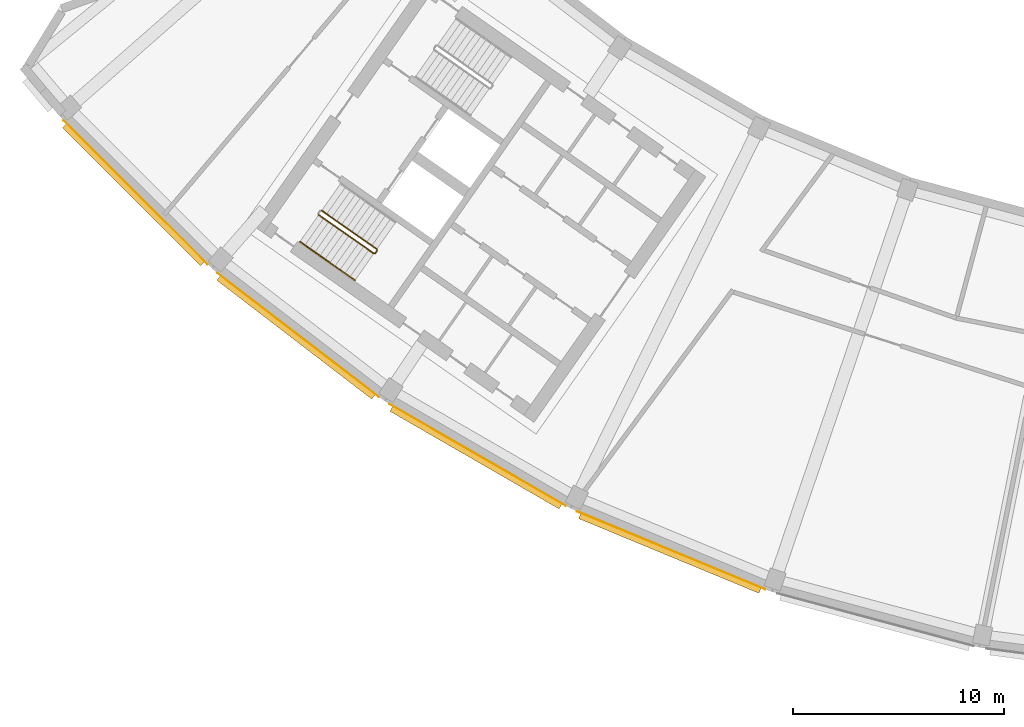
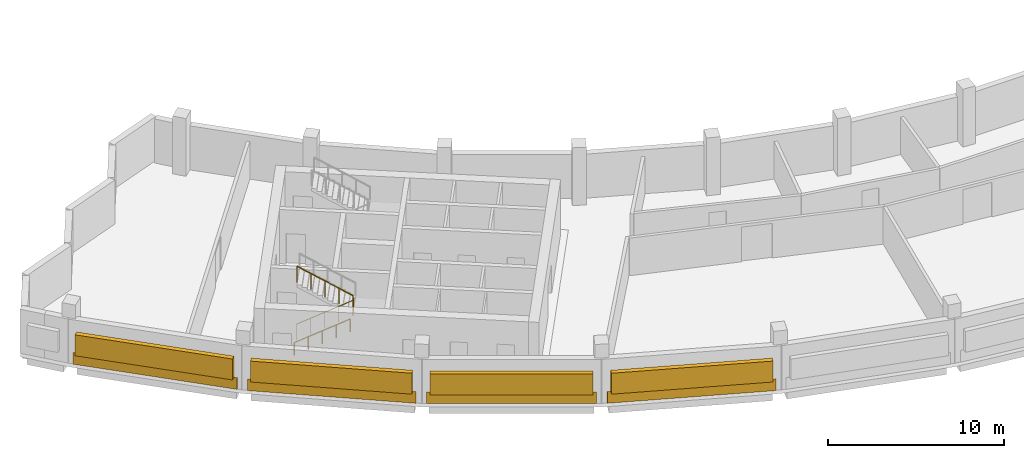
# One storey, part 8 of 11: 4 coverings, 4 shading devices, 3 railings.
"""IFC4 building model written with IfcOpenShell, lengths in metres."""

from ifc_helpers import new_model, si_unit, direction, frame, origin, origin_2d, place, context, subcontext, project, spatial, rectangle, circle, extrude, material, layer, layer_set, type_object, element, save


model = new_model("IFC4")

# Units and contexts
model_context = context("Model", 3, precision=1e-05, world=origin(), true_north=direction((0.0, 1.0)))
body_context = subcontext(model_context, "Body", "Model", "MODEL_VIEW")
ifc_project = project(units=[si_unit("LENGTHUNIT", "METRE"), si_unit("AREAUNIT", "SQUARE_METRE"), si_unit("VOLUMEUNIT", "CUBIC_METRE"), si_unit("PLANEANGLEUNIT", "RADIAN"), si_unit("MASSUNIT", "GRAM", prefix="KILO")], contexts=[model_context])

# Site, building, storey
site_placement = place(None, origin())
site = spatial("IfcSite", under=ifc_project, at=site_placement, CompositionType="ELEMENT")
building_placement = place(site_placement, origin())
building = spatial("IfcBuilding", under=site, at=building_placement, Name="Qamariyya Broadcast Tower", CompositionType="ELEMENT")
storey_placement = place(building_placement, frame((0.0, 0.0, 298.699951171875)))
storey = spatial("IfcBuildingStorey", under=building, at=storey_placement, Name="L72", CompositionType="ELEMENT", Elevation=298.699951171875)

# Railings
ifc_material_1 = material(Name="Painted steel", Category="steel")
railing_type_1 = type_object("IfcRailingType", Name="Stair guard", PredefinedType="GUARDRAIL", material=ifc_material_1)
railing_1_placement = place(storey_placement, frame((-46.624267578125, -56.34765625, 0.166748046875)))
element("IfcRailing", 1, at=railing_1_placement, inside=storey, type_object=railing_type_1, Name="L72 ST-W1 stair guard 1", PredefinedType="GUARDRAIL", context=body_context, shape_type="SweptSolid", body=[
    extrude(circle(Radius=0.02392578125, at=origin_2d()), frame((0.0, 0.0, 1.076171875), z_axis=(0.710204256923, -0.497335411159, 0.498264389913), x_axis=(0.573611290809, 0.819127637829, 0.0)), (0.0, 0.0, 1.0), 3.67919921875),
    extrude(circle(Radius=0.02392578125, at=origin_2d()), frame((2.613037109375, -1.829833984375, 2.9091796875), z_axis=(0.984957024646, 0.172799478008, 0.0), x_axis=(-0.172799478008, 0.984957024646, 0.0)), (0.0, 0.0, 1.0), 0.070556640625),
    extrude(circle(Radius=0.02392578125, at=origin_2d()), frame((2.6826171875, -1.817626953125, 2.9091796875), z_axis=(0.57368046593, 0.819079192149, 0.0), x_axis=(-0.819079192149, 0.57368046593, 0.0)), (0.0, 0.0, 1.0), 0.150146484375),
    extrude(circle(Radius=0.02099609375, at=origin_2d()), origin(), (0.0, 0.0, 1.0), 1.052001953125),
    extrude(circle(Radius=0.02099609375, at=origin_2d()), frame((0.6533203125, -0.45751953125, 0.458251953125)), (0.0, 0.0, 1.0), 1.052001953125),
    extrude(circle(Radius=0.02099609375, at=origin_2d()), frame((1.306640625, -0.9150390625, 0.91650390625)), (0.0, 0.0, 1.0), 1.052001953125),
    extrude(circle(Radius=0.02099609375, at=origin_2d()), frame((1.959716796875, -1.372314453125, 1.375)), (0.0, 0.0, 1.0), 1.052001953125),
    extrude(circle(Radius=0.02099609375, at=origin_2d()), frame((2.613037109375, -1.829833984375, 1.833251953125)), (0.0, 0.0, 1.0), 1.052001953125),
    extrude(circle(Radius=0.02099609375, at=origin_2d()), frame((2.6826171875, -1.817626953125, 1.833251953125)), (0.0, 0.0, 1.0), 1.052001953125),
    extrude(circle(Radius=0.02099609375, at=origin_2d()), frame((2.768798828125, -1.694580078125, 1.833251953125)), (0.0, 0.0, 1.0), 1.052001953125),
])
railing_2_placement = place(storey_placement, frame((-43.867919921875, -57.97265625, 2.166748046875)))
element("IfcRailing", 2, at=railing_2_placement, inside=storey, type_object=railing_type_1, Name="L72 ST-W1 stair guard 2", PredefinedType="GUARDRAIL", context=body_context, shape_type="SweptSolid", body=[
    extrude(circle(Radius=0.02392578125, at=origin_2d()), frame((0.0, 0.0, 1.076171875), z_axis=(-0.710227693972, 0.497285465629, 0.498280832854), x_axis=(-0.573559936391, -0.819163597438, 0.0)), (0.0, 0.0, 1.0), 3.67919921875),
    extrude(circle(Radius=0.02099609375, at=origin_2d()), origin(), (0.0, 0.0, 1.0), 1.052001953125),
    extrude(circle(Radius=0.02099609375, at=origin_2d()), frame((-0.6533203125, 0.45751953125, 0.458251953125)), (0.0, 0.0, 1.0), 1.052001953125),
    extrude(circle(Radius=0.02099609375, at=origin_2d()), frame((-1.306640625, 0.914794921875, 0.91650390625)), (0.0, 0.0, 1.0), 1.052001953125),
    extrude(circle(Radius=0.02099609375, at=origin_2d()), frame((-1.959716796875, 1.3720703125, 1.375)), (0.0, 0.0, 1.0), 1.052001953125),
    extrude(circle(Radius=0.02099609375, at=origin_2d()), frame((-2.613037109375, 1.82958984375, 1.833251953125)), (0.0, 0.0, 1.0), 1.052001953125),
])
ifc_material_2 = material(Name="Stainless steel", Category="steel")
railing_type_2 = type_object("IfcRailingType", Name="Stair handrail", PredefinedType="HANDRAIL", material=ifc_material_2)
railing_3_placement = place(storey_placement, frame((-47.513427734375, -57.617431640625, 0.166748046875)))
element("IfcRailing", 3, at=railing_3_placement, inside=storey, type_object=railing_type_2, Name="L72 ST-W1 stair handrail 1", PredefinedType="HANDRAIL", context=body_context, shape_type="SweptSolid", body=[
    extrude(circle(Radius=0.02392578125, at=origin_2d()), frame((0.0, 0.0, 0.8759765625), z_axis=(0.710204256923, -0.497335411159, 0.498264389913), x_axis=(0.573611290809, 0.819127637829, 0.0)), (0.0, 0.0, 1.0), 3.67919921875),
    extrude(circle(Radius=0.02099609375, at=origin_2d()), origin(), (0.0, 0.0, 1.0), 0.851806640625),
    extrude(circle(Radius=0.02099609375, at=origin_2d()), frame((0.6533203125, -0.45751953125, 0.458251953125)), (0.0, 0.0, 1.0), 0.851806640625),
    extrude(circle(Radius=0.02099609375, at=origin_2d()), frame((1.306640625, -0.9150390625, 0.91650390625)), (0.0, 0.0, 1.0), 0.851806640625),
    extrude(circle(Radius=0.02099609375, at=origin_2d()), frame((1.959716796875, -1.372314453125, 1.375)), (0.0, 0.0, 1.0), 0.851806640625),
    extrude(circle(Radius=0.02099609375, at=origin_2d()), frame((2.613037109375, -1.829833984375, 1.833251953125)), (0.0, 0.0, 1.0), 0.851806640625),
])

# Coverings
ifc_material_3 = material(Name="Glazed terracotta", Category="masonry")
ifc_layer = layer(ifc_material_3, 0.030029296875)
ifc_layer_set = layer_set([ifc_layer], Name="Terracotta cladding panel 30, crown band")
covering_type = type_object("IfcCoveringType", Name="Terracotta cladding panel 30, crown band", PredefinedType="CLADDING", material=ifc_layer_set)
for number, where, z_axis, x_axis, name in (
    (4, (-55.293701171875, -55.293701171875, 0.0), (0.0, 0.0, 1.0), (0.707106781187, -0.707106781187, 0.0), "e-cl-L72-01"),
    (5, (-47.603515625, -62.0380859375, 0.0), (0.0, 0.0, 1.0), (0.793353340291, -0.608761429009, 0.0), "e-cl-L72-02"),
    (6, (-39.0986328125, -67.720703125, 0.0), (0.0, 0.0, 1.0), (0.866025403784, -0.5, 0.0), "e-cl-L72-03"),
    (7, (-29.9248046875, -72.244873046875, 0.0), (0.0, 0.0, 1.0), (0.923879532511, -0.382683432365, 0.0), "e-cl-L72-04"),
):
    element("IfcCovering", number, at=place(storey_placement, frame(where, z_axis=z_axis, x_axis=x_axis)), inside=storey, type_object=covering_type, Name=name, PredefinedType="CLADDING", context=body_context, shape_type="SweptSolid", body=[
        extrude(rectangle(XDim=9.648681640625, YDim=0.030029296875, at=origin_2d()), origin(), (0.0, 0.0, 1.0), 0.800048828125),
    ])

# Shading devices
shading_device_type = type_object("IfcShadingDeviceType", Name="Terracotta louvre bank", PredefinedType="USERDEFINED", material=ifc_material_3)
for number, where, z_axis, x_axis, name in (
    (8, (-55.38916015625, -55.38916015625, 0.80029296875), (0.0, 0.0, 1.0), (0.707106781187, -0.707106781187, 0.0), "e-lv-L72-01"),
    (9, (-47.685546875, -62.145263671875, 0.80029296875), (0.0, 0.0, 1.0), (0.793353340291, -0.608761429009, 0.0), "e-lv-L72-02"),
    (10, (-39.166015625, -67.837646484375, 0.80029296875), (0.0, 0.0, 1.0), (0.866025403784, -0.5, 0.0), "e-lv-L72-03"),
    (11, (-29.9765625, -72.36962890625, 0.80029296875), (0.0, 0.0, 1.0), (0.923879532511, -0.382683432365, 0.0), "e-lv-L72-04"),
):
    element("IfcShadingDevice", number, at=place(storey_placement, frame(where, z_axis=z_axis, x_axis=x_axis)), inside=storey, type_object=shading_device_type, Name=name, ObjectType="LOUVRE", PredefinedType="USERDEFINED", context=body_context, shape_type="SweptSolid", body=[
        extrude(rectangle(XDim=9.248779296875, YDim=0.300048828125, at=origin_2d()), origin(), (0.0, 0.0, 1.0), 1.449951171875),
    ])

save(model, "model.ifc")
